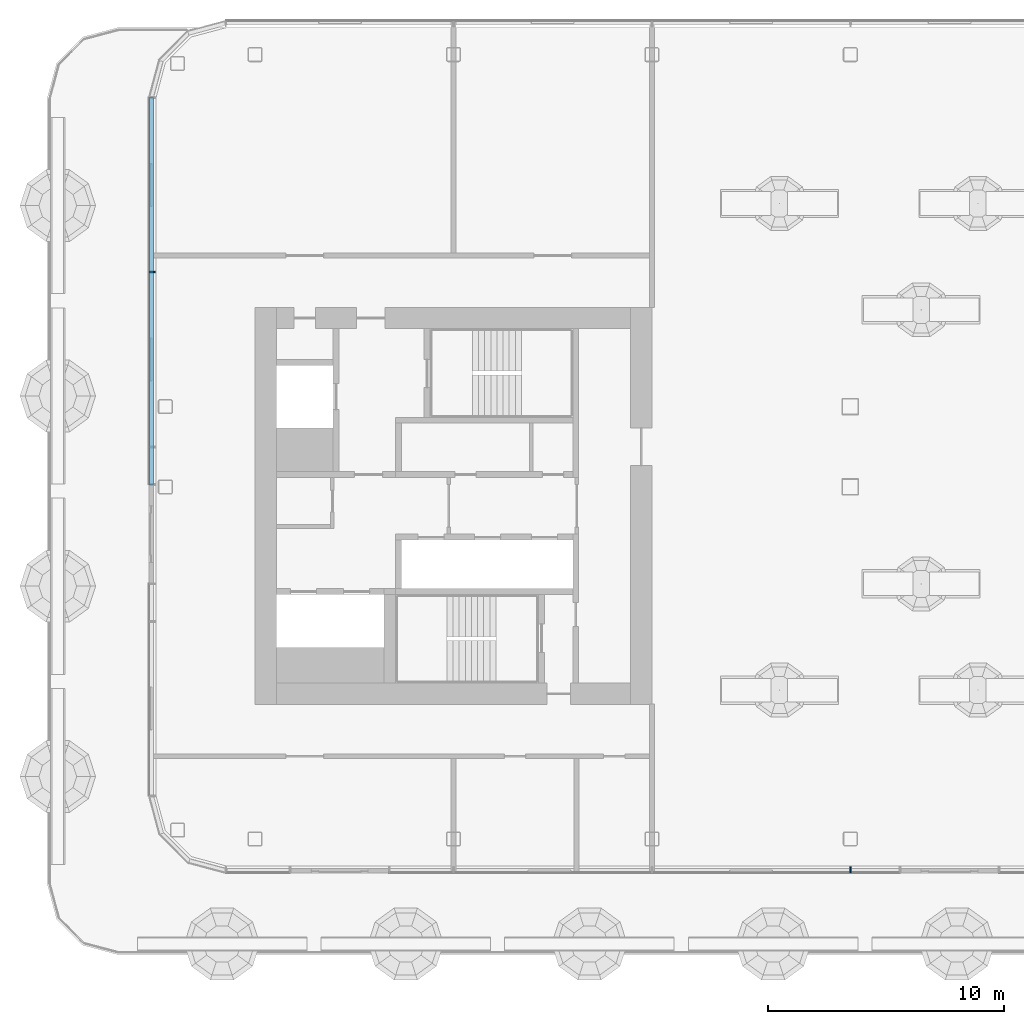
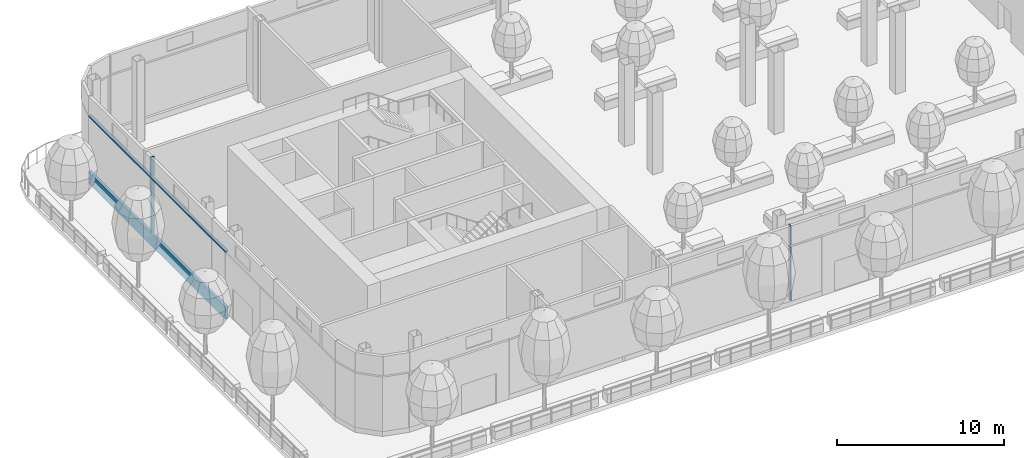
# One storey, part 3 of 41: 6 members, 2 elements without a shape of their own.
"""IFC4 building model written with IfcOpenShell, lengths in metres."""

from ifc_helpers import new_model, si_unit, direction, frame, origin, origin_2d, place, context, subcontext, project, spatial, rectangle, extrude, material, layer, layer_set, material_profile, profile_set, type_object, element, aggregate, save


model = new_model("IFC4")

# Units and contexts
model_context = context("Model", 3, precision=1e-05, world=origin(), true_north=direction((0.0, 1.0)))
body_context = subcontext(model_context, "Body", "Model", "MODEL_VIEW")
ifc_project = project(units=[si_unit("LENGTHUNIT", "METRE"), si_unit("AREAUNIT", "SQUARE_METRE"), si_unit("VOLUMEUNIT", "CUBIC_METRE"), si_unit("PLANEANGLEUNIT", "RADIAN"), si_unit("MASSUNIT", "GRAM", prefix="KILO")], contexts=[model_context])

# Site, building, storey
site_placement = place(None, origin())
site = spatial("IfcSite", under=ifc_project, at=site_placement, CompositionType="ELEMENT")
building_placement = place(site_placement, origin())
building = spatial("IfcBuilding", under=site, at=building_placement, Name="Hakoniwa Tower and Hamabe Station Hall", CompositionType="ELEMENT")
storey_placement = place(building_placement, frame((0.0, 0.0, 180.199951171875)))
storey = spatial("IfcBuildingStorey", under=building, at=storey_placement, Name="L51", CompositionType="ELEMENT", Elevation=180.199951171875)

# Curtain wall, members
ifc_material_1 = material(Name="Dark low-e laminated glass", Category="glass")
ifc_layer = layer(ifc_material_1, 0.199951171875)
ifc_layer_set = layer_set([ifc_layer], Name="CW-2 SKY GARDEN")
curtain_wall_type = type_object("IfcCurtainWallType", Name="CW-2 SKY GARDEN", PredefinedType="NOTDEFINED", material=ifc_layer_set)
curtain_wall_1_placement = place(storey_placement, origin())
curtain_wall_1 = element("IfcCurtainWall", 1, at=curtain_wall_1_placement, inside=storey, type_object=curtain_wall_type, Name="CW-2 curtain wall", PredefinedType="NOTDEFINED")
ifc_material_2 = material(Name="Aluminium 6063-T5 black anodised", Category="aluminium")
ifc_material_profile_1 = material_profile(ifc_material_2, rectangle(XDim=0.199951171875, YDim=0.1201171875, at=origin_2d()), Name="CW MID TRANSOM 120X200")
ifc_profile_set_1 = profile_set([ifc_material_profile_1], Name="Aluminium 6063-T5 black anodised")
member_type_1 = type_object("IfcMemberType", Name="CW MID TRANSOM 120X200", PredefinedType="USERDEFINED", material=ifc_profile_set_1)
member_1_placement = place(storey_placement, frame((-38.0, 17.28955078125, 4.39013671875), z_axis=(0.0, -1.0, 0.0), x_axis=(1.0, 0.0, 0.0)))
member_1 = element("IfcMember", 2, at=member_1_placement, type_object=member_type_1, Name="CW-2 transom", ObjectType="TRANSOM", PredefinedType="USERDEFINED", context=body_context, shape_type="SweptSolid", body=[
    extrude(rectangle(XDim=0.199951171875, YDim=0.1201171875, at=origin_2d()), origin(), (0.0, 0.0, 1.0), 16.4169921875),
])
ifc_material_3 = material(Name="Aluminium 6063-T5 black anodised", Category="aluminium")
ifc_material_profile_2 = material_profile(ifc_material_3, rectangle(XDim=0.199951171875, YDim=0.89990234375, at=origin_2d()), Name="CW SLAB-EDGE BAND 900X200")
ifc_profile_set_2 = profile_set([ifc_material_profile_2], Name="Aluminium 6063-T5 black anodised")
member_type_2 = type_object("IfcMemberType", Name="CW SLAB-EDGE BAND 900X200", PredefinedType="USERDEFINED", material=ifc_profile_set_2)
member_2_placement = place(storey_placement, frame((-38.0, 17.28955078125, -0.099853515625), z_axis=(0.0, -1.0, 0.0), x_axis=(1.0, 0.0, 0.0)))
member_2 = element("IfcMember", 3, at=member_2_placement, type_object=member_type_2, Name="CW-2 transom", ObjectType="TRANSOM", PredefinedType="USERDEFINED", context=body_context, shape_type="SweptSolid", body=[
    extrude(rectangle(XDim=0.199951171875, YDim=0.89990234375, at=origin_2d()), origin(), (0.0, 0.0, 1.0), 16.4169921875),
])
ifc_material_4 = material(Name="Aluminium 6063-T5 black anodised", Category="aluminium")
ifc_material_profile_3 = material_profile(ifc_material_4, rectangle(XDim=0.06005859375, YDim=0.239990234375, at=origin_2d()), Name="CW-2 MULLION 60X240")
ifc_profile_set_3 = profile_set([ifc_material_profile_3], Name="Aluminium 6063-T5 black anodised")
member_type_3 = type_object("IfcMemberType", Name="CW-2 MULLION 60X240", PredefinedType="MULLION", material=ifc_profile_set_3)
member_3_placement = place(storey_placement, frame((-37.951904296875, 9.894775390625, 0.35009765625), z_axis=(0.0, 0.0, 1.0), x_axis=(0.0, -1.0, 0.0)))
member_3 = element("IfcMember", 4, at=member_3_placement, type_object=member_type_3, Name="CW-2 mullion", PredefinedType="MULLION", context=body_context, shape_type="SweptSolid", body=[
    extrude(rectangle(XDim=0.06005859375, YDim=0.239990234375, at=origin_2d()), origin(), (0.0, 0.0, 1.0), 3.97998046875),
])
member_4_placement = place(storey_placement, frame((-37.951904296875, 9.894775390625, 4.449951171875), z_axis=(0.0, 0.0, 1.0), x_axis=(0.0, -1.0, 0.0)))
member_4 = element("IfcMember", 5, at=member_4_placement, type_object=member_type_3, Name="CW-2 mullion", PredefinedType="MULLION", context=body_context, shape_type="SweptSolid", body=[
    extrude(rectangle(XDim=0.06005859375, YDim=0.239990234375, at=origin_2d()), origin(), (0.0, 0.0, 1.0), 1.400146484375),
])
aggregate(curtain_wall_1, [member_3, member_4, member_2, member_1])

curtain_wall_2_placement = place(storey_placement, origin())
curtain_wall_2 = element("IfcCurtainWall", 6, at=curtain_wall_2_placement, inside=storey, type_object=curtain_wall_type, Name="CW-2 curtain wall", PredefinedType="NOTDEFINED")
member_5_placement = place(storey_placement, frame((-8.39990234375, -15.402099609375, 0.35009765625), z_axis=(0.0, 0.0, 1.0), x_axis=(1.0, 0.0, 0.0)))
member_5 = element("IfcMember", 7, at=member_5_placement, type_object=member_type_3, Name="CW-2 mullion", PredefinedType="MULLION", context=body_context, shape_type="SweptSolid", body=[
    extrude(rectangle(XDim=0.06005859375, YDim=0.239990234375, at=origin_2d()), origin(), (0.0, 0.0, 1.0), 3.97998046875),
])
member_6_placement = place(storey_placement, frame((-8.39990234375, -15.402099609375, 4.449951171875), z_axis=(0.0, 0.0, 1.0), x_axis=(1.0, 0.0, 0.0)))
member_6 = element("IfcMember", 8, at=member_6_placement, type_object=member_type_3, Name="CW-2 mullion", PredefinedType="MULLION", context=body_context, shape_type="SweptSolid", body=[
    extrude(rectangle(XDim=0.06005859375, YDim=0.239990234375, at=origin_2d()), origin(), (0.0, 0.0, 1.0), 1.400146484375),
])
aggregate(curtain_wall_2, [member_5, member_6])

save(model, "model.ifc")
